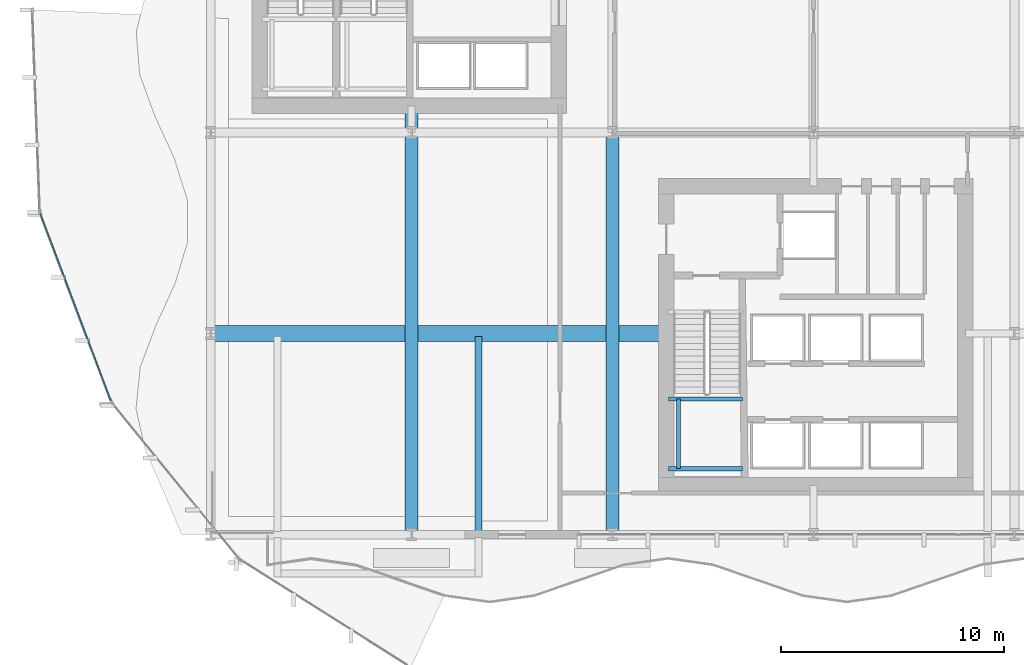
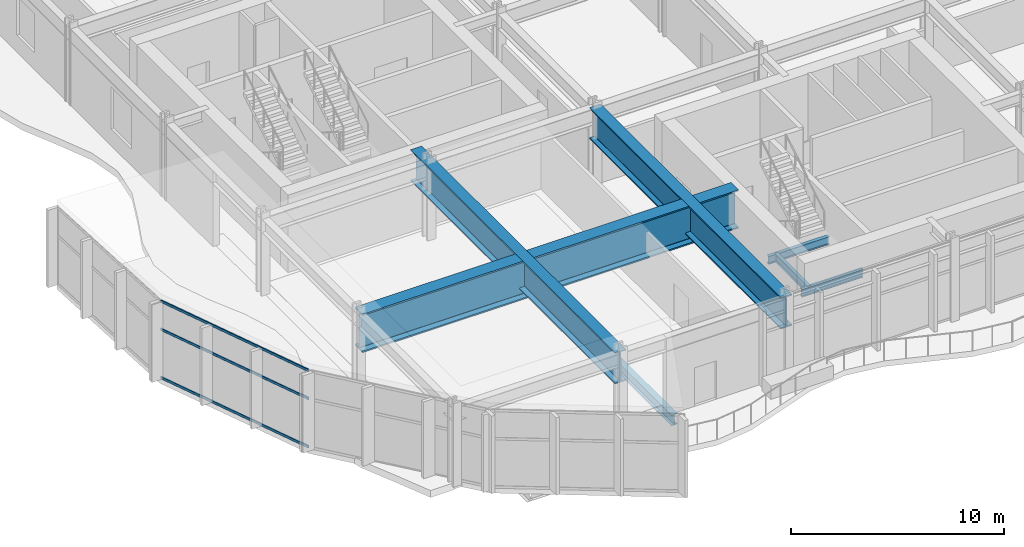
# One storey, part 5 of 31: 7 beams, 3 members, 1 element without a shape of its own.
"""IFC4 building model written with IfcOpenShell, lengths in metres."""

from ifc_helpers import new_model, si_unit, direction, frame, origin, origin_2d, place, context, subcontext, project, spatial, hollow_rectangle, i_section, extrude, material, layer, layer_set, material_profile, profile_set, type_object, element, aggregate, save


model = new_model("IFC4")

# Units and contexts
model_context = context("Model", 3, precision=1e-05, world=origin(), true_north=direction((0.0, 1.0)))
body_context = subcontext(model_context, "Body", "Model", "MODEL_VIEW")
ifc_project = project(units=[si_unit("LENGTHUNIT", "METRE"), si_unit("AREAUNIT", "SQUARE_METRE"), si_unit("VOLUMEUNIT", "CUBIC_METRE"), si_unit("PLANEANGLEUNIT", "RADIAN"), si_unit("MASSUNIT", "GRAM", prefix="KILO")], contexts=[model_context])

# Site, building, storey
site_placement = place(None, origin())
site = spatial("IfcSite", under=ifc_project, at=site_placement, CompositionType="ELEMENT")
building_placement = place(site_placement, origin())
building = spatial("IfcBuilding", under=site, at=building_placement, Name="Solvaryn Broadcast Tower", CompositionType="ELEMENT")
storey_placement = place(building_placement, frame((0.0, 0.0, 26.0)))
storey = spatial("IfcBuildingStorey", under=building, at=storey_placement, Name="L05", CompositionType="ELEMENT", Elevation=26.0)

# Beams
ifc_material_1 = material(Name="Steel ASTM A992 Grade 50", Category="steel")
ifc_material_profile_1 = material_profile(ifc_material_1, i_section(OverallWidth=0.323974609375, OverallDepth=0.611083984375, WebThickness=0.0126953125, FlangeThickness=0.01904296875, FilletRadius=0.014892578125, at=origin_2d()))
ifc_profile_set_1 = profile_set([ifc_material_profile_1], Name="Steel ASTM A992 Grade 50")
beam_type_1 = type_object("IfcBeamType", Name="BM-B1-W24X104", PredefinedType="BEAM", material=ifc_profile_set_1)
beam_1_placement = place(storey_placement, frame((21.0, 17.875, -0.62548828125), z_axis=(0.0, -1.0, 0.0), x_axis=(1.0, 0.0, 0.0)))
element("IfcBeam", 1, at=beam_1_placement, inside=storey, type_object=beam_type_1, Name="L05 Terrace Back-Span Beam X21.0", PredefinedType="BEAM", context=body_context, shape_type="SweptSolid", body=[
    extrude(i_section(OverallWidth=0.323974609375, OverallDepth=0.611083984375, WebThickness=0.0126953125, FlangeThickness=0.01904296875, FilletRadius=0.014892578125, at=origin_2d()), origin(), (0.0, 0.0, 1.0), 8.75),
])
ifc_material_2 = material(Name="Steel ASTM A992 Grade 50", Category="steel")
ifc_material_profile_2 = material_profile(ifc_material_2, i_section(OverallWidth=0.18994140625, OverallDepth=0.45703125, WebThickness=0.009033203125, FlangeThickness=0.014404296875, FilletRadius=0.011962890625, at=origin_2d()))
ifc_profile_set_2 = profile_set([ifc_material_profile_2], Name="Steel ASTM A992 Grade 50")
beam_type_2 = type_object("IfcBeamType", Name="BM-B4-W18X50", PredefinedType="BEAM", material=ifc_profile_set_2)
for number, where, z_axis, x_axis, name in (
    (2, (29.5, 11.949951171875, 1.971435546875), (1.0, 0.0, 0.0), (0.0, 1.0, 0.0), "L05 ST3 Landing Support Beam 1A"),
    (3, (29.5, 15.070068359375, 1.971435546875), (1.0, 0.0, 0.0), (0.0, 1.0, 0.0), "L05 ST3 Landing Support Beam 1B"),
):
    element("IfcBeam", number, at=place(storey_placement, frame(where, z_axis=z_axis, x_axis=x_axis)), inside=storey, type_object=beam_type_2, Name=name, PredefinedType="BEAM", context=body_context, shape_type="SweptSolid", body=[
        extrude(i_section(OverallWidth=0.18994140625, OverallDepth=0.45703125, WebThickness=0.009033203125, FlangeThickness=0.014404296875, FilletRadius=0.011962890625, at=origin_2d()), origin(), (0.0, 0.0, 1.0), 3.320068359375),
    ])
beam_2_placement = place(storey_placement, frame((29.949951171875, 11.949951171875, 1.971435546875), z_axis=(0.0, 1.0, 0.0), x_axis=(-1.0, 0.0, 0.0)))
element("IfcBeam", 4, at=beam_2_placement, inside=storey, type_object=beam_type_2, Name="L05 ST3 Landing Cross Stringer 1C", PredefinedType="BEAM", context=body_context, shape_type="SweptSolid", body=[
    extrude(i_section(OverallWidth=0.18994140625, OverallDepth=0.45703125, WebThickness=0.009033203125, FlangeThickness=0.014404296875, FilletRadius=0.011962890625, at=origin_2d()), origin(), (0.0, 0.0, 1.0), 3.1201171875),
])
ifc_material_3 = material(Name="Steel ASTM A572 Grade 50", Category="steel")
ifc_material_profile_3 = material_profile(ifc_material_3, i_section(OverallWidth=0.699951171875, OverallDepth=2.199951171875, WebThickness=0.0400390625, FlangeThickness=0.080078125, FilletRadius=0.02001953125, at=origin_2d()))
ifc_profile_set_3 = profile_set([ifc_material_profile_3], Name="Steel ASTM A572 Grade 50")
beam_type_3 = type_object("IfcBeamType", Name="BM-TG1-PG2200", PredefinedType="BEAM", material=ifc_profile_set_3)
beam_3_placement = place(storey_placement, frame((9.0, 18.0, 3.340087890625), z_axis=(1.0, 0.0, 0.0), x_axis=(0.0, 1.0, 0.0)))
element("IfcBeam", 5, at=beam_3_placement, inside=storey, type_object=beam_type_3, Name="L05 Studio Transfer Plate Girder TG1", PredefinedType="BEAM", context=body_context, shape_type="SweptSolid", body=[
    extrude(i_section(OverallWidth=0.699951171875, OverallDepth=2.199951171875, WebThickness=0.0400390625, FlangeThickness=0.080078125, FilletRadius=0.02001953125, at=origin_2d()), origin(), (0.0, 0.0, 1.0), 20.39990234375),
])
ifc_material_4 = material(Name="Steel ASTM A572 Grade 50", Category="steel")
ifc_material_profile_4 = material_profile(ifc_material_4, i_section(OverallWidth=0.60009765625, OverallDepth=1.800048828125, WebThickness=0.035888671875, FlangeThickness=0.070068359375, FilletRadius=0.02001953125, at=origin_2d()))
ifc_profile_set_4 = profile_set([ifc_material_profile_4], Name="Steel ASTM A572 Grade 50")
beam_type_4 = type_object("IfcBeamType", Name="BM-TG2-PG1800", PredefinedType="BEAM", material=ifc_profile_set_4)
beam_4_placement = place(storey_placement, frame((18.0, 9.0, 3.5400390625), z_axis=(0.0, 1.0, 0.0), x_axis=(-1.0, 0.0, 0.0)))
element("IfcBeam", 6, at=beam_4_placement, inside=storey, type_object=beam_type_4, Name="L05 Studio Transfer Plate Girder TG2-18", PredefinedType="BEAM", context=body_context, shape_type="SweptSolid", body=[
    extrude(i_section(OverallWidth=0.60009765625, OverallDepth=1.800048828125, WebThickness=0.035888671875, FlangeThickness=0.070068359375, FilletRadius=0.02001953125, at=origin_2d()), origin(), (0.0, 0.0, 1.0), 19.199951171875),
])
beam_5_placement = place(storey_placement, frame((27.0, 9.0, 3.5400390625), z_axis=(0.0, 1.0, 0.0), x_axis=(-1.0, 0.0, 0.0)))
element("IfcBeam", 7, at=beam_5_placement, inside=storey, type_object=beam_type_4, Name="L05 Studio Transfer Plate Girder TG2-27", PredefinedType="BEAM", context=body_context, shape_type="SweptSolid", body=[
    extrude(i_section(OverallWidth=0.60009765625, OverallDepth=1.800048828125, WebThickness=0.035888671875, FlangeThickness=0.070068359375, FilletRadius=0.02001953125, at=origin_2d()), origin(), (0.0, 0.0, 1.0), 18.0),
])

# Curtain wall, members
ifc_material_5 = material(Name="Aluminium and Terracotta Unitised Curtain Wall", Category="masonry")
ifc_layer = layer(ifc_material_5, 0.219970703125)
ifc_layer_set = layer_set([ifc_layer], Name="CW-SYS1-PODIUM")
curtain_wall_type = type_object("IfcCurtainWallType", Name="CW-SYS1-PODIUM", PredefinedType="NOTDEFINED", material=ifc_layer_set)
curtain_wall_placement = place(storey_placement, origin())
curtain_wall = element("IfcCurtainWall", 8, at=curtain_wall_placement, inside=storey, type_object=curtain_wall_type, Name="L05 Podium Curtain Wall DC2", PredefinedType="NOTDEFINED")
ifc_material_6 = material(Name="Anodised Aluminium 6063-T6", Category="aluminium")
ifc_material_profile_5 = material_profile(ifc_material_6, hollow_rectangle(XDim=0.06494140625, YDim=0.14990234375, WallThickness=0.00390625, InnerFilletRadius=0.00390625, OuterFilletRadius=0.008056640625, at=origin_2d()))
ifc_profile_set_5 = profile_set([ifc_material_profile_5], Name="Anodised Aluminium 6063-T6")
member_type = type_object("IfcMemberType", Name="CW-TRN-150", PredefinedType="USERDEFINED", material=ifc_profile_set_5)
member_1_placement = place(storey_placement, frame((1.377197265625, 23.369873046875, 0.030029296875), z_axis=(0.352926716419, -0.935650967422, 0.0), x_axis=(0.935650967422, 0.352926716419, 0.0)))
member_1 = element("IfcMember", 9, at=member_1_placement, type_object=member_type, Name="CWS1 transom 1.1", ObjectType="TRANSOM", PredefinedType="USERDEFINED", context=body_context, shape_type="SweptSolid", body=[
    extrude(hollow_rectangle(XDim=0.06494140625, YDim=0.14990234375, WallThickness=0.00390625, InnerFilletRadius=0.00390625, OuterFilletRadius=0.008056640625, at=origin_2d()), origin(), (0.0, 0.0, 1.0), 8.958251953125),
])
member_2_placement = place(storey_placement, frame((1.377197265625, 23.369873046875, 2.800048828125), z_axis=(0.352926716419, -0.935650967422, 0.0), x_axis=(0.935650967422, 0.352926716419, 0.0)))
member_2 = element("IfcMember", 10, at=member_2_placement, type_object=member_type, Name="CWS1 transom 1.2", ObjectType="TRANSOM", PredefinedType="USERDEFINED", context=body_context, shape_type="SweptSolid", body=[
    extrude(hollow_rectangle(XDim=0.06494140625, YDim=0.14990234375, WallThickness=0.00390625, InnerFilletRadius=0.00390625, OuterFilletRadius=0.008056640625, at=origin_2d()), origin(), (0.0, 0.0, 1.0), 8.958251953125),
])
member_3_placement = place(storey_placement, frame((1.377197265625, 23.369873046875, 4.409912109375), z_axis=(0.352926716419, -0.935650967422, 0.0), x_axis=(0.935650967422, 0.352926716419, 0.0)))
member_3 = element("IfcMember", 11, at=member_3_placement, type_object=member_type, Name="CWS1 transom 1.3", ObjectType="TRANSOM", PredefinedType="USERDEFINED", context=body_context, shape_type="SweptSolid", body=[
    extrude(hollow_rectangle(XDim=0.06494140625, YDim=0.14990234375, WallThickness=0.00390625, InnerFilletRadius=0.00390625, OuterFilletRadius=0.008056640625, at=origin_2d()), origin(), (0.0, 0.0, 1.0), 8.958251953125),
])
aggregate(curtain_wall, [member_1, member_2, member_3])

save(model, "model.ifc")
